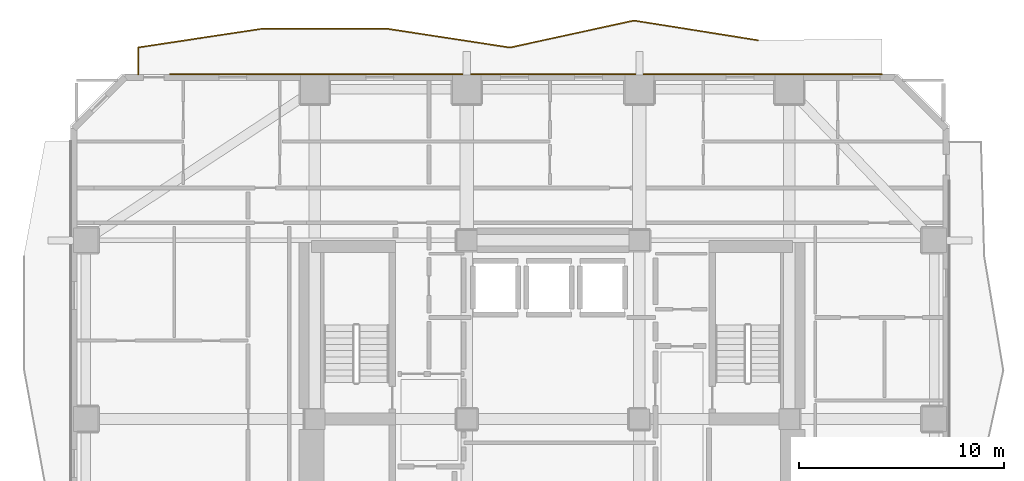
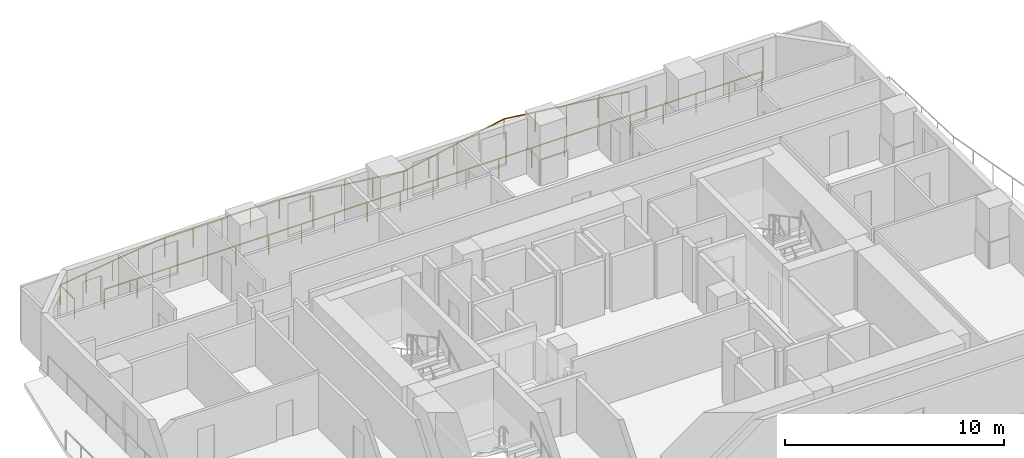
# One storey, part 11 of 11: 2 railings.
"""IFC4 building model written with IfcOpenShell, lengths in metres."""

from ifc_helpers import new_model, si_unit, direction, frame, origin, origin_2d, place, context, subcontext, project, spatial, rectangle, extrude, material, type_object, element, save


model = new_model("IFC4")

# Units and contexts
model_context = context("Model", 3, precision=1e-05, world=origin(), true_north=direction((0.0, 1.0)))
body_context = subcontext(model_context, "Body", "Model", "MODEL_VIEW")
ifc_project = project(units=[si_unit("LENGTHUNIT", "METRE"), si_unit("AREAUNIT", "SQUARE_METRE"), si_unit("VOLUMEUNIT", "CUBIC_METRE"), si_unit("PLANEANGLEUNIT", "RADIAN"), si_unit("MASSUNIT", "GRAM", prefix="KILO")], contexts=[model_context])

# Site, building, storey
site_placement = place(None, origin())
site = spatial("IfcSite", under=ifc_project, at=site_placement, CompositionType="ELEMENT")
building_placement = place(site_placement, origin())
building = spatial("IfcBuilding", under=site, at=building_placement, Name="Solanera Arch Residences", CompositionType="ELEMENT")
storey_placement = place(building_placement, frame((0.0, 0.0, 31.9599609375)))
storey = spatial("IfcBuildingStorey", under=building, at=storey_placement, Name="L08", CompositionType="ELEMENT", Elevation=31.9599609375)

# Railings
ifc_material = material(Name="Steel S355 (ASTM A992 / A572 Grade 50)", Category="steel")
railing_type = type_object("IfcRailingType", Name="Balustrade Railing BL-1100", PredefinedType="BALUSTRADE", material=ifc_material)
railing_1_placement = place(storey_placement, frame((34.967041015625, 49.14306640625, 0.0)))
element("IfcRailing", 1, at=railing_1_placement, inside=storey, type_object=railing_type, Name="L08 N Balcony Balustrade 1", PredefinedType="BALUSTRADE", context=body_context, shape_type="SweptSolid", body=[
    extrude(rectangle(XDim=0.048095703125, YDim=0.048095703125, at=origin_2d()), frame((0.0, 0.0, 1.09619140625), z_axis=(-0.987579883594, 0.157117705939, 0.0), x_axis=(-0.157117705939, -0.987579883594, 0.0)), (0.0, 0.0, 1.0), 6.10986328125),
    extrude(rectangle(XDim=0.048095703125, YDim=0.048095703125, at=origin_2d()), frame((-6.033935546875, 0.9599609375, 1.09619140625), z_axis=(-0.977062749054, -0.212951601101, 0.0), x_axis=(0.212951601101, -0.977062749054, 0.0)), (0.0, 0.0, 1.0), 6.1748046875),
    extrude(rectangle(XDim=0.048095703125, YDim=0.048095703125, at=origin_2d()), frame((-12.067138671875, -0.35498046875, 1.09619140625), z_axis=(-0.988477818303, 0.151365791124, 0.0), x_axis=(-0.151365791124, -0.988477818303, 0.0)), (0.0, 0.0, 1.0), 6.103271484375),
    extrude(rectangle(XDim=0.048095703125, YDim=0.048095703125, at=origin_2d()), frame((-18.10009765625, 0.56884765625, 1.09619140625), z_axis=(-0.999998879398, -0.001497064881, 0.0), x_axis=(0.001497064881, -0.999998879398, 0.0)), (0.0, 0.0, 1.0), 6.033935546875),
    extrude(rectangle(XDim=0.048095703125, YDim=0.048095703125, at=origin_2d()), frame((-24.134033203125, 0.559814453125, 1.09619140625), z_axis=(-0.988769318188, -0.149449775543, 0.0), x_axis=(0.149449775543, -0.988769318188, 0.0)), (0.0, 0.0, 1.0), 6.1015625),
    extrude(rectangle(XDim=0.048095703125, YDim=0.048095703125, at=origin_2d()), frame((-30.1669921875, -0.35205078125, 1.09619140625), z_axis=(0.0, -1.0, 0.0), x_axis=(1.0, 0.0, 0.0)), (0.0, 0.0, 1.0), 1.31103515625),
    extrude(rectangle(XDim=0.0419921875, YDim=0.0419921875, at=origin_2d()), origin(), (0.0, 0.0, 1.0), 1.072021484375),
    extrude(rectangle(XDim=0.0419921875, YDim=0.0419921875, at=origin_2d()), frame((-1.508544921875, 0.239990234375, 0.0)), (0.0, 0.0, 1.0), 1.072021484375),
    extrude(rectangle(XDim=0.0419921875, YDim=0.0419921875, at=origin_2d()), frame((-3.01708984375, 0.47998046875, 0.0)), (0.0, 0.0, 1.0), 1.072021484375),
    extrude(rectangle(XDim=0.0419921875, YDim=0.0419921875, at=origin_2d()), frame((-4.525390625, 0.719970703125, 0.0)), (0.0, 0.0, 1.0), 1.072021484375),
    extrude(rectangle(XDim=0.0419921875, YDim=0.0419921875, at=origin_2d()), frame((-6.033935546875, 0.9599609375, 0.0)), (0.0, 0.0, 1.0), 1.072021484375),
    extrude(rectangle(XDim=0.0419921875, YDim=0.0419921875, at=origin_2d()), frame((-7.542236328125, 0.63134765625, 0.0)), (0.0, 0.0, 1.0), 1.072021484375),
    extrude(rectangle(XDim=0.0419921875, YDim=0.0419921875, at=origin_2d()), frame((-9.050537109375, 0.302490234375, 0.0)), (0.0, 0.0, 1.0), 1.072021484375),
    extrude(rectangle(XDim=0.0419921875, YDim=0.0419921875, at=origin_2d()), frame((-10.558837890625, -0.0263671875, 0.0)), (0.0, 0.0, 1.0), 1.072021484375),
    extrude(rectangle(XDim=0.0419921875, YDim=0.0419921875, at=origin_2d()), frame((-12.067138671875, -0.35498046875, 0.0)), (0.0, 0.0, 1.0), 1.072021484375),
    extrude(rectangle(XDim=0.0419921875, YDim=0.0419921875, at=origin_2d()), frame((-13.575439453125, -0.1240234375, 0.0)), (0.0, 0.0, 1.0), 1.072021484375),
    extrude(rectangle(XDim=0.0419921875, YDim=0.0419921875, at=origin_2d()), frame((-15.08349609375, 0.10693359375, 0.0)), (0.0, 0.0, 1.0), 1.072021484375),
    extrude(rectangle(XDim=0.0419921875, YDim=0.0419921875, at=origin_2d()), frame((-16.591796875, 0.337890625, 0.0)), (0.0, 0.0, 1.0), 1.072021484375),
    extrude(rectangle(XDim=0.0419921875, YDim=0.0419921875, at=origin_2d()), frame((-18.10009765625, 0.56884765625, 0.0)), (0.0, 0.0, 1.0), 1.072021484375),
    extrude(rectangle(XDim=0.0419921875, YDim=0.0419921875, at=origin_2d()), frame((-19.608642578125, 0.566650390625, 0.0)), (0.0, 0.0, 1.0), 1.072021484375),
    extrude(rectangle(XDim=0.0419921875, YDim=0.0419921875, at=origin_2d()), frame((-21.1171875, 0.564453125, 0.0)), (0.0, 0.0, 1.0), 1.072021484375),
    extrude(rectangle(XDim=0.0419921875, YDim=0.0419921875, at=origin_2d()), frame((-22.62548828125, 0.56201171875, 0.0)), (0.0, 0.0, 1.0), 1.072021484375),
    extrude(rectangle(XDim=0.0419921875, YDim=0.0419921875, at=origin_2d()), frame((-24.134033203125, 0.559814453125, 0.0)), (0.0, 0.0, 1.0), 1.072021484375),
    extrude(rectangle(XDim=0.0419921875, YDim=0.0419921875, at=origin_2d()), frame((-25.642333984375, 0.331787109375, 0.0)), (0.0, 0.0, 1.0), 1.072021484375),
    extrude(rectangle(XDim=0.0419921875, YDim=0.0419921875, at=origin_2d()), frame((-27.150390625, 0.10400390625, 0.0)), (0.0, 0.0, 1.0), 1.072021484375),
    extrude(rectangle(XDim=0.0419921875, YDim=0.0419921875, at=origin_2d()), frame((-28.65869140625, -0.1240234375, 0.0)), (0.0, 0.0, 1.0), 1.072021484375),
    extrude(rectangle(XDim=0.0419921875, YDim=0.0419921875, at=origin_2d()), frame((-30.1669921875, -0.35205078125, 0.0)), (0.0, 0.0, 1.0), 1.072021484375),
    extrude(rectangle(XDim=0.0419921875, YDim=0.0419921875, at=origin_2d()), frame((-30.1669921875, -1.6630859375, 0.0)), (0.0, 0.0, 1.0), 1.072021484375),
])
railing_2_placement = place(storey_placement, frame((6.365966796875, 47.47998046875, 0.0)))
element("IfcRailing", 2, at=railing_2_placement, inside=storey, type_object=railing_type, Name="L08 N Balcony Balustrade 2", PredefinedType="BALUSTRADE", context=body_context, shape_type="SweptSolid", body=[
    extrude(rectangle(XDim=0.048095703125, YDim=0.048095703125, at=origin_2d()), frame((0.0, 0.0, 1.09619140625), z_axis=(1.0, 0.0, 0.0), x_axis=(0.0, 1.0, 0.0)), (0.0, 0.0, 1.0), 34.634033203125),
    extrude(rectangle(XDim=0.0419921875, YDim=0.0419921875, at=origin_2d()), origin(), (0.0, 0.0, 1.0), 1.072021484375),
    extrude(rectangle(XDim=0.0419921875, YDim=0.0419921875, at=origin_2d()), frame((1.731689453125, 0.0, 0.0)), (0.0, 0.0, 1.0), 1.072021484375),
    extrude(rectangle(XDim=0.0419921875, YDim=0.0419921875, at=origin_2d()), frame((3.46337890625, 0.0, 0.0)), (0.0, 0.0, 1.0), 1.072021484375),
    extrude(rectangle(XDim=0.0419921875, YDim=0.0419921875, at=origin_2d()), frame((5.195068359375, 0.0, 0.0)), (0.0, 0.0, 1.0), 1.072021484375),
    extrude(rectangle(XDim=0.0419921875, YDim=0.0419921875, at=origin_2d()), frame((6.9267578125, 0.0, 0.0)), (0.0, 0.0, 1.0), 1.072021484375),
    extrude(rectangle(XDim=0.0419921875, YDim=0.0419921875, at=origin_2d()), frame((8.658447265625, 0.0, 0.0)), (0.0, 0.0, 1.0), 1.072021484375),
    extrude(rectangle(XDim=0.0419921875, YDim=0.0419921875, at=origin_2d()), frame((10.39013671875, 0.0, 0.0)), (0.0, 0.0, 1.0), 1.072021484375),
    extrude(rectangle(XDim=0.0419921875, YDim=0.0419921875, at=origin_2d()), frame((12.121826171875, 0.0, 0.0)), (0.0, 0.0, 1.0), 1.072021484375),
    extrude(rectangle(XDim=0.0419921875, YDim=0.0419921875, at=origin_2d()), frame((13.853515625, 0.0, 0.0)), (0.0, 0.0, 1.0), 1.072021484375),
    extrude(rectangle(XDim=0.0419921875, YDim=0.0419921875, at=origin_2d()), frame((15.585205078125, 0.0, 0.0)), (0.0, 0.0, 1.0), 1.072021484375),
    extrude(rectangle(XDim=0.0419921875, YDim=0.0419921875, at=origin_2d()), frame((17.31689453125, 0.0, 0.0)), (0.0, 0.0, 1.0), 1.072021484375),
    extrude(rectangle(XDim=0.0419921875, YDim=0.0419921875, at=origin_2d()), frame((19.048828125, 0.0, 0.0)), (0.0, 0.0, 1.0), 1.072021484375),
    extrude(rectangle(XDim=0.0419921875, YDim=0.0419921875, at=origin_2d()), frame((20.780517578125, 0.0, 0.0)), (0.0, 0.0, 1.0), 1.072021484375),
    extrude(rectangle(XDim=0.0419921875, YDim=0.0419921875, at=origin_2d()), frame((22.51220703125, 0.0, 0.0)), (0.0, 0.0, 1.0), 1.072021484375),
    extrude(rectangle(XDim=0.0419921875, YDim=0.0419921875, at=origin_2d()), frame((24.243896484375, 0.0, 0.0)), (0.0, 0.0, 1.0), 1.072021484375),
    extrude(rectangle(XDim=0.0419921875, YDim=0.0419921875, at=origin_2d()), frame((25.9755859375, 0.0, 0.0)), (0.0, 0.0, 1.0), 1.072021484375),
    extrude(rectangle(XDim=0.0419921875, YDim=0.0419921875, at=origin_2d()), frame((27.707275390625, 0.0, 0.0)), (0.0, 0.0, 1.0), 1.072021484375),
    extrude(rectangle(XDim=0.0419921875, YDim=0.0419921875, at=origin_2d()), frame((29.43896484375, 0.0, 0.0)), (0.0, 0.0, 1.0), 1.072021484375),
    extrude(rectangle(XDim=0.0419921875, YDim=0.0419921875, at=origin_2d()), frame((31.170654296875, 0.0, 0.0)), (0.0, 0.0, 1.0), 1.072021484375),
    extrude(rectangle(XDim=0.0419921875, YDim=0.0419921875, at=origin_2d()), frame((32.90234375, 0.0, 0.0)), (0.0, 0.0, 1.0), 1.072021484375),
    extrude(rectangle(XDim=0.0419921875, YDim=0.0419921875, at=origin_2d()), frame((34.634033203125, 0.0, 0.0)), (0.0, 0.0, 1.0), 1.072021484375),
])

save(model, "model.ifc")
